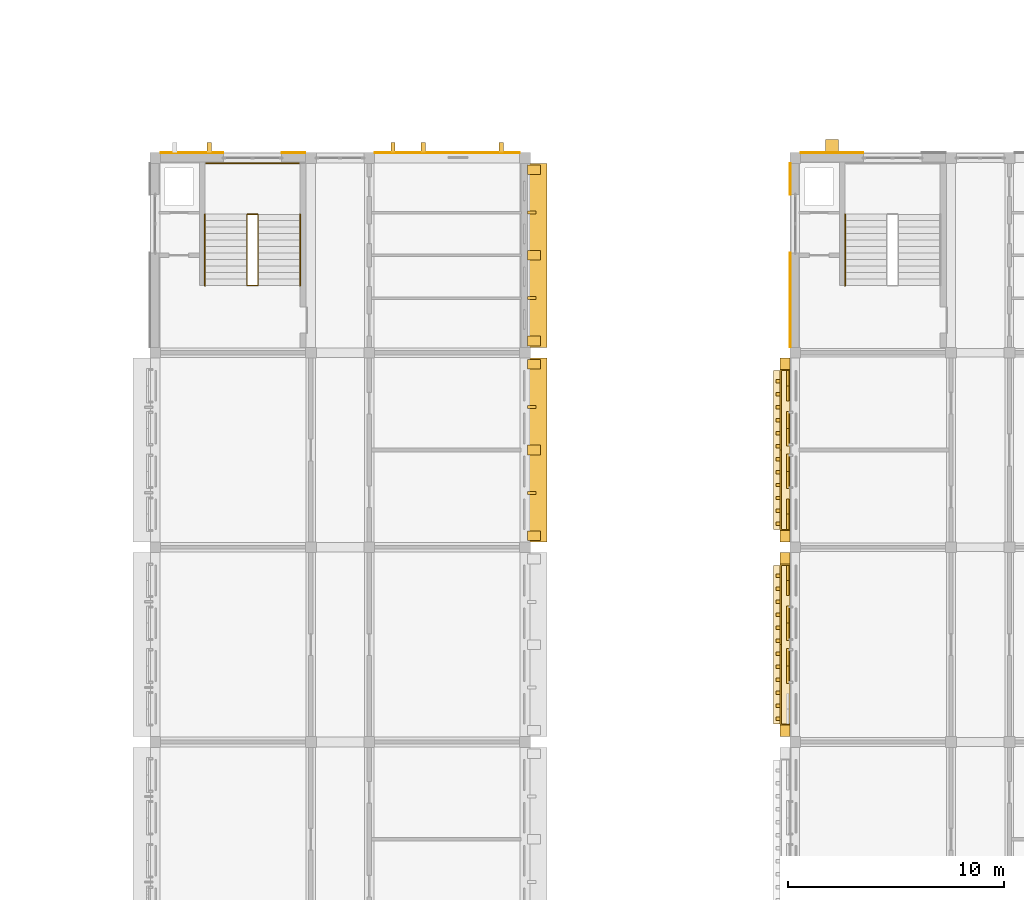
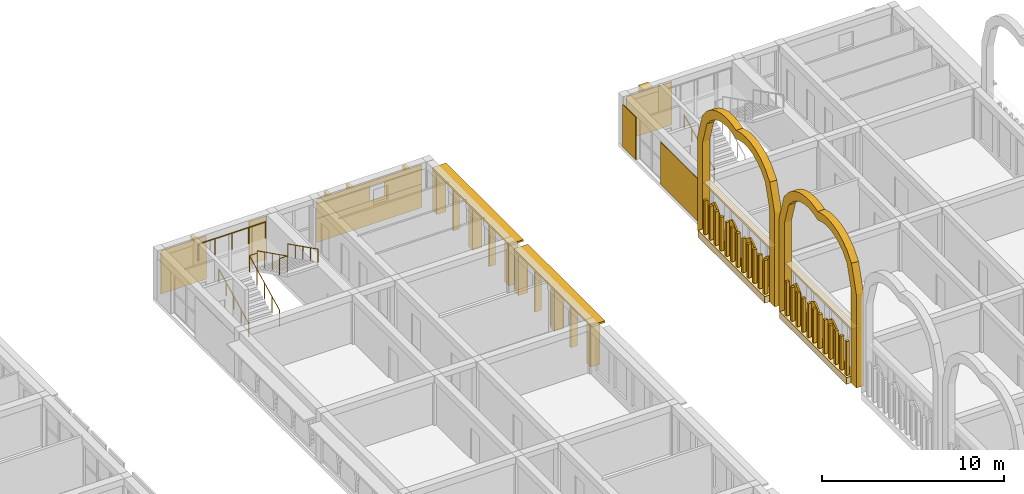
# One storey, part 77 of 82: 54 coverings, 9 shading devices, 5 railings.
"""IFC4 building model written with IfcOpenShell, lengths in metres."""

from ifc_helpers import new_model, si_unit, direction, frame, origin, origin_2d, place, context, subcontext, project, spatial, polyline, rectangle, circle, outline, extrude, material, layer, layer_set, type_object, element, save


model = new_model("IFC4")

# Units and contexts
model_context = context("Model", 3, precision=1e-05, world=origin(), true_north=direction((0.0, 1.0)))
body_context = subcontext(model_context, "Body", "Model", "MODEL_VIEW")
ifc_project = project(units=[si_unit("LENGTHUNIT", "METRE"), si_unit("AREAUNIT", "SQUARE_METRE"), si_unit("VOLUMEUNIT", "CUBIC_METRE"), si_unit("PLANEANGLEUNIT", "RADIAN"), si_unit("MASSUNIT", "GRAM", prefix="KILO")], contexts=[model_context])

# Site, building, storey
site_placement = place(None, origin())
site = spatial("IfcSite", under=ifc_project, at=site_placement, CompositionType="ELEMENT")
building_placement = place(site_placement, origin())
building = spatial("IfcBuilding", under=site, at=building_placement, Name="Elbe Cascade School", CompositionType="ELEMENT")
storey_placement = place(building_placement, frame((0.0, 0.0, 4.5)))
storey = spatial("IfcBuildingStorey", under=building, at=storey_placement, Name="L01", CompositionType="ELEMENT", Elevation=4.5)

# Railings
ifc_material_1 = material(Name="Steel S355J2H, painted", Category="steel")
railing_type_1 = type_object("IfcRailingType", Name="Bar stair guard 1100", PredefinedType="GUARDRAIL", material=ifc_material_1)
railing_1_placement = place(storey_placement, frame((102.85009765625, 54.10009765625, 0.14990234375)))
element("IfcRailing", 1, at=railing_1_placement, inside=storey, type_object=railing_type_1, Name="Stair guard B1.N", PredefinedType="GUARDRAIL", context=body_context, shape_type="SweptSolid", body=[
    extrude(circle(Radius=0.02392578125, at=origin_2d()), frame((0.0, 0.0, 1.09619140625), z_axis=(0.0, 0.894400720042, 0.447266533499), x_axis=(-1.0, 0.0, 0.0)), (0.0, 0.0, 1.0), 3.689453125),
    extrude(circle(Radius=0.02392578125, at=origin_2d()), frame((0.0, 3.2998046875, 2.74609375), z_axis=(1.0, 0.0, 0.0), x_axis=(0.0, 1.0, 0.0)), (0.0, 0.0, 1.0), 0.5),
    extrude(circle(Radius=0.02392578125, at=origin_2d()), frame((0.5, 3.2998046875, 2.74609375), z_axis=(0.0, 0.0, 1.0), x_axis=(1.0, 0.0, 0.0)), (0.0, 0.0, 1.0), 0.14990234375),
    extrude(circle(Radius=0.02392578125, at=origin_2d()), frame((0.5, 3.2998046875, 2.89599609375), z_axis=(0.0, -0.894400720042, 0.447266533499), x_axis=(1.0, 0.0, 0.0)), (0.0, 0.0, 1.0), 3.689453125),
    extrude(circle(Radius=0.02392578125, at=origin_2d()), frame((0.5, 0.0, 4.54638671875), z_axis=(-1.0, 0.0, 0.0), x_axis=(0.0, -1.0, 0.0)), (0.0, 0.0, 1.0), 0.5),
    extrude(circle(Radius=0.02099609375, at=origin_2d()), origin(), (0.0, 0.0, 1.0), 1.072021484375),
    extrude(circle(Radius=0.02099609375, at=origin_2d()), frame((0.0, 0.824951171875, 0.41259765625)), (0.0, 0.0, 1.0), 1.072021484375),
    extrude(circle(Radius=0.02099609375, at=origin_2d()), frame((0.0, 1.64990234375, 0.8251953125)), (0.0, 0.0, 1.0), 1.072021484375),
    extrude(circle(Radius=0.02099609375, at=origin_2d()), frame((0.0, 2.474853515625, 1.237548828125)), (0.0, 0.0, 1.0), 1.072021484375),
    extrude(circle(Radius=0.02099609375, at=origin_2d()), frame((0.0, 3.2998046875, 1.650146484375)), (0.0, 0.0, 1.0), 1.072021484375),
    extrude(circle(Radius=0.02099609375, at=origin_2d()), frame((0.5, 3.2998046875, 1.650146484375)), (0.0, 0.0, 1.0), 1.072021484375),
    extrude(circle(Radius=0.02099609375, at=origin_2d()), frame((0.5, 3.2998046875, 1.800048828125)), (0.0, 0.0, 1.0), 1.072021484375),
    extrude(circle(Radius=0.02099609375, at=origin_2d()), frame((0.5, 2.474853515625, 2.212646484375)), (0.0, 0.0, 1.0), 1.072021484375),
    extrude(circle(Radius=0.02099609375, at=origin_2d()), frame((0.5, 1.64990234375, 2.625)), (0.0, 0.0, 1.0), 1.072021484375),
    extrude(circle(Radius=0.02099609375, at=origin_2d()), frame((0.5, 0.824951171875, 3.03759765625)), (0.0, 0.0, 1.0), 1.072021484375),
    extrude(circle(Radius=0.02099609375, at=origin_2d()), frame((0.5, 0.0, 3.4501953125)), (0.0, 0.0, 1.0), 1.072021484375),
    extrude(circle(Radius=0.02099609375, at=origin_2d()), frame((0.0, 0.0, 3.4501953125)), (0.0, 0.0, 1.0), 1.072021484375),
])
railing_2_placement = place(storey_placement, frame((100.9599609375, 59.760009765625, 1.800048828125)))
element("IfcRailing", 2, at=railing_2_placement, inside=storey, type_object=railing_type_1, Name="Stair guard B1.N", PredefinedType="GUARDRAIL", context=body_context, shape_type="SweptSolid", body=[
    extrude(circle(Radius=0.02392578125, at=origin_2d()), frame((0.0, 0.0, 1.09619140625), z_axis=(1.0, 0.0, 0.0), x_axis=(0.0, 1.0, 0.0)), (0.0, 0.0, 1.0), 4.280029296875),
    extrude(circle(Radius=0.02099609375, at=origin_2d()), origin(), (0.0, 0.0, 1.0), 1.072021484375),
    extrude(circle(Radius=0.02099609375, at=origin_2d()), frame((1.070068359375, 0.0, 0.0)), (0.0, 0.0, 1.0), 1.072021484375),
    extrude(circle(Radius=0.02099609375, at=origin_2d()), frame((2.14013671875, 0.0, 0.0)), (0.0, 0.0, 1.0), 1.072021484375),
    extrude(circle(Radius=0.02099609375, at=origin_2d()), frame((3.2099609375, 0.0, 0.0)), (0.0, 0.0, 1.0), 1.072021484375),
    extrude(circle(Radius=0.02099609375, at=origin_2d()), frame((4.280029296875, 0.0, 0.0)), (0.0, 0.0, 1.0), 1.072021484375),
])
ifc_material_2 = material(Name="Steel S355J2H, painted", Category="steel")
railing_type_2 = type_object("IfcRailingType", Name="Bar stair handrail 900", PredefinedType="HANDRAIL", material=ifc_material_2)
railing_3_placement = place(storey_placement, frame((100.89990234375, 54.10009765625, 0.14990234375)))
element("IfcRailing", 3, at=railing_3_placement, inside=storey, type_object=railing_type_2, Name="Stair handrail B1.N", PredefinedType="HANDRAIL", context=body_context, shape_type="SweptSolid", body=[
    extrude(circle(Radius=0.02392578125, at=origin_2d()), frame((0.0, 0.0, 0.8759765625), z_axis=(0.0, 0.894400720042, 0.447266533499), x_axis=(-1.0, 0.0, 0.0)), (0.0, 0.0, 1.0), 3.689453125),
    extrude(circle(Radius=0.02099609375, at=origin_2d()), origin(), (0.0, 0.0, 1.0), 0.851806640625),
    extrude(circle(Radius=0.02099609375, at=origin_2d()), frame((0.0, 0.824951171875, 0.41259765625)), (0.0, 0.0, 1.0), 0.851806640625),
    extrude(circle(Radius=0.02099609375, at=origin_2d()), frame((0.0, 1.64990234375, 0.8251953125)), (0.0, 0.0, 1.0), 0.851806640625),
    extrude(circle(Radius=0.02099609375, at=origin_2d()), frame((0.0, 2.474853515625, 1.237548828125)), (0.0, 0.0, 1.0), 0.851806640625),
    extrude(circle(Radius=0.02099609375, at=origin_2d()), frame((0.0, 3.2998046875, 1.650146484375)), (0.0, 0.0, 1.0), 0.851806640625),
])
railing_4_placement = place(storey_placement, frame((105.300048828125, 57.39990234375, 1.949951171875)))
element("IfcRailing", 4, at=railing_4_placement, inside=storey, type_object=railing_type_2, Name="Stair handrail B1.N", PredefinedType="HANDRAIL", context=body_context, shape_type="SweptSolid", body=[
    extrude(circle(Radius=0.02392578125, at=origin_2d()), frame((0.0, 0.0, 0.8759765625), z_axis=(0.0, -0.894400720042, 0.447266533499), x_axis=(1.0, 0.0, 0.0)), (0.0, 0.0, 1.0), 3.689453125),
    extrude(circle(Radius=0.02099609375, at=origin_2d()), origin(), (0.0, 0.0, 1.0), 0.851806640625),
    extrude(circle(Radius=0.02099609375, at=origin_2d()), frame((0.0, -0.824951171875, 0.41259765625)), (0.0, 0.0, 1.0), 0.851806640625),
    extrude(circle(Radius=0.02099609375, at=origin_2d()), frame((0.0, -1.64990234375, 0.8251953125)), (0.0, 0.0, 1.0), 0.851806640625),
    extrude(circle(Radius=0.02099609375, at=origin_2d()), frame((0.0, -2.474853515625, 1.237548828125)), (0.0, 0.0, 1.0), 0.851806640625),
    extrude(circle(Radius=0.02099609375, at=origin_2d()), frame((0.0, -3.2998046875, 1.650146484375)), (0.0, 0.0, 1.0), 0.851806640625),
])
railing_5_placement = place(storey_placement, frame((130.5, 54.10009765625, 0.14990234375)))
element("IfcRailing", 5, at=railing_5_placement, inside=storey, type_object=railing_type_2, Name="Stair handrail C1.N", PredefinedType="HANDRAIL", context=body_context, shape_type="SweptSolid", body=[
    extrude(circle(Radius=0.02392578125, at=origin_2d()), frame((0.0, 0.0, 0.8759765625), z_axis=(0.0, 0.894400720042, 0.447266533499), x_axis=(-1.0, 0.0, 0.0)), (0.0, 0.0, 1.0), 3.689453125),
    extrude(circle(Radius=0.02099609375, at=origin_2d()), origin(), (0.0, 0.0, 1.0), 0.851806640625),
    extrude(circle(Radius=0.02099609375, at=origin_2d()), frame((0.0, 0.824951171875, 0.41259765625)), (0.0, 0.0, 1.0), 0.851806640625),
    extrude(circle(Radius=0.02099609375, at=origin_2d()), frame((0.0, 1.64990234375, 0.8251953125)), (0.0, 0.0, 1.0), 0.851806640625),
    extrude(circle(Radius=0.02099609375, at=origin_2d()), frame((0.0, 2.474853515625, 1.237548828125)), (0.0, 0.0, 1.0), 0.851806640625),
    extrude(circle(Radius=0.02099609375, at=origin_2d()), frame((0.0, 3.2998046875, 1.650146484375)), (0.0, 0.0, 1.0), 0.851806640625),
])

# Shading devices
ifc_material_3 = material(Name="Precast concrete C30/37", Category="concrete")
ifc_layer_1 = layer(ifc_material_3, 0.1201171875)
ifc_layer_set_1 = layer_set([ifc_layer_1], Name="Precast concrete C30/37")
shading_device_type_1 = type_object("IfcShadingDeviceType", Name="Bars envelope Chhajja eave, precast concrete, 900 x 120", PredefinedType="USERDEFINED", material=ifc_layer_set_1)
for number, where, z_axis, x_axis, name in (
    (6, (116.27001953125, 46.5, 2.72998046875), (0.0, 0.0, 1.0), (0.0, 1.0, 0.0), "Chhajja eave SD2 B.L01.e5"),
    (7, (116.27001953125, 55.5, 2.72998046875), (0.0, 0.0, 1.0), (0.0, 1.0, 0.0), "Chhajja eave SD2 B.L01.e6"),
):
    element("IfcShadingDevice", number, at=place(storey_placement, frame(where, z_axis=z_axis, x_axis=x_axis)), inside=storey, type_object=shading_device_type_1, Name=name, ObjectType="CHHAJJA", PredefinedType="USERDEFINED", context=body_context, shape_type="SweptSolid", body=[
        extrude(rectangle(XDim=8.5, YDim=0.89990234375, at=origin_2d()), origin(), (0.0, 0.0, 1.0), 0.1201171875),
    ])
ifc_material_4 = material(Name="Precast concrete C40/50", Category="concrete")
ifc_layer_2 = layer(ifc_material_4, 0.10009765625)
ifc_layer_set_2 = layer_set([ifc_layer_2], Name="Precast concrete C40/50")
shading_device_type_2 = type_object("IfcShadingDeviceType", Name="Bars envelope Jali screen 1400 x 1940, pointed arch rise 1200, pierced precast concrete", PredefinedType="USERDEFINED", material=ifc_layer_set_2)
shading_device_1_placement = place(storey_placement, frame((127.800048828125, 39.77001953125, 1.340087890625), z_axis=(-1.0, 0.0, 0.0), x_axis=(0.0, 0.178010233327, 0.984028636184)))
element("IfcShadingDevice", 8, at=shading_device_1_placement, inside=storey, type_object=shading_device_type_2, Name="Jali screen SD5 C.L01.w4.4", ObjectType="JALI", PredefinedType="USERDEFINED", context=body_context, shape_type="SweptSolid", body=[
    extrude(outline(polyline([(0.0, 0.0), (0.4909961754247877, 0.0), (0.6925449640407739, 0.05260897455936113), (0.8428788821146216, 0.11423458756170396), (0.9653882612323997, 0.18114174736631955), (1.0691153542525929, 0.2511985091151042), (1.1586682066636846, 0.32381938311151803), (1.2367329330241117, 0.3987665558959881), (1.3053847865709356, 0.4751684089694145), (1.26789341576225, 0.5710196155015056), (1.2209891721399608, 0.6683255023225533), (1.1625533429373862, 0.767717446565401), (1.0899867326553312, 0.869913744422134), (0.9986378362756912, 0.9752596442230361), (0.8794644009399817, 1.0858870908262108), (0.7090760950621335, 1.205531175872367), (0.2491969428458631, 1.3775439941116288), (-0.47897463827592734, 1.509269828392377), (-0.7281715811217905, 0.13172583428074836), (0.0, 0.0)])), origin(), (0.0, 0.0, -1.0), 0.10009765625),
])
shading_device_2_placement = place(storey_placement, frame((127.800048828125, 42.830078125, 1.340087890625), z_axis=(-1.0, 0.0, 0.0), x_axis=(0.0, 0.178010233327, 0.984028636184)))
element("IfcShadingDevice", 9, at=shading_device_2_placement, inside=storey, type_object=shading_device_type_2, Name="Jali screen SD5 C.L01.w5.1", ObjectType="JALI", PredefinedType="USERDEFINED", context=body_context, shape_type="SweptSolid", body=[
    extrude(outline(polyline([(0.0, 0.0), (0.4909961754247877, 0.0), (0.6925015045111531, 0.05236873319310516), (0.8428788821146216, 0.11423458756170396), (0.9653448017027789, 0.1809015060000636), (1.0691153542525929, 0.2511985091151042), (1.1586682066636846, 0.32381938311151803), (1.2366894734944909, 0.3985263145297321), (1.3053847865709356, 0.4751684089694145), (1.267849956232629, 0.5707793741352497), (1.2209891721399608, 0.6683255023225533), (1.1625533429373862, 0.767717446565401), (1.0899432731257104, 0.8696735030558779), (0.9986378362756912, 0.9752596442230361), (0.8794209414103609, 1.0856468494599547), (0.7090760950621335, 1.205531175872367), (0.2491969428458631, 1.3775439941116288), (-0.47897463827592734, 1.509269828392377), (-0.7281715811217905, 0.13172583428074836), (0.0, 0.0)])), origin(), (0.0, 0.0, -1.0), 0.10009765625),
])
shading_device_3_placement = place(storey_placement, frame((127.800048828125, 48.77001953125, 1.340087890625), z_axis=(-1.0, 0.0, 0.0), x_axis=(0.0, 0.178010233327, 0.984028636184)))
element("IfcShadingDevice", 10, at=shading_device_3_placement, inside=storey, type_object=shading_device_type_2, Name="Jali screen SD5 C.L01.w5.4", ObjectType="JALI", PredefinedType="USERDEFINED", context=body_context, shape_type="SweptSolid", body=[
    extrude(outline(polyline([(0.0, 0.0), (0.4909961754247877, 0.0), (0.6925449640407739, 0.05260897455936113), (0.8428788821146216, 0.11423458756170396), (0.9653882612323997, 0.18114174736631955), (1.0691153542525929, 0.2511985091151042), (1.1586682066636846, 0.32381938311151803), (1.2367329330241117, 0.3987665558959881), (1.3053847865709356, 0.4751684089694145), (1.26789341576225, 0.5710196155015056), (1.2209891721399608, 0.6683255023225533), (1.1625533429373862, 0.767717446565401), (1.0899867326553312, 0.869913744422134), (0.9986378362756912, 0.9752596442230361), (0.8794644009399817, 1.0858870908262108), (0.7090760950621335, 1.205531175872367), (0.2491969428458631, 1.3775439941116288), (-0.47897463827592734, 1.509269828392377), (-0.7281715811217905, 0.13172583428074836), (0.0, 0.0)])), origin(), (0.0, 0.0, -1.0), 0.10009765625),
])
ifc_material_5 = material(Name="Precast concrete C40/50", Category="concrete")
ifc_layer_3 = layer(ifc_material_5, 0.10009765625)
ifc_layer_set_3 = layer_set([ifc_layer_3], Name="Precast concrete C40/50")
shading_device_type_3 = type_object("IfcShadingDeviceType", Name="Bars envelope Jali screen 1600 x 1940, pointed arch rise 1200, pierced precast concrete", PredefinedType="USERDEFINED", material=ifc_layer_set_3)
for number, where, z_axis, x_axis, name in (
    (11, (127.800048828125, 35.7099609375, 1.340087890625), (-1.0, 0.0, 0.0), (0.0, 0.196300278283, 0.98054382908), "Jali screen SD4 C.L01.w4.2"),
    (12, (127.800048828125, 37.68994140625, 1.340087890625), (-1.0, 0.0, 0.0), (0.0, 0.196300278283, 0.98054382908), "Jali screen SD4 C.L01.w4.3"),
    (13, (127.800048828125, 44.7099609375, 1.340087890625), (-1.0, 0.0, 0.0), (0.0, 0.196300278283, 0.98054382908), "Jali screen SD4 C.L01.w5.2"),
    (14, (127.800048828125, 46.68994140625, 1.340087890625), (-1.0, 0.0, 0.0), (0.0, 0.196300278283, 0.98054382908), "Jali screen SD4 C.L01.w5.3"),
):
    element("IfcShadingDevice", number, at=place(storey_placement, frame(where, z_axis=z_axis, x_axis=x_axis)), inside=storey, type_object=shading_device_type_3, Name=name, ObjectType="JALI", PredefinedType="USERDEFINED", context=body_context, shape_type="SweptSolid", body=[
        extrude(outline(polyline([(0.0, 0.0), (0.509921112317134, 0.0), (0.7184015554229473, 0.06009802405484588), (0.8733064327485943, 0.13117061016154), (0.9982874871653163, 0.20823380534668107), (1.102872417131342, 0.2891312241218946), (1.1917054934740825, 0.37343107507379947), (1.268281725197354, 0.45993570394643946), (1.3336545243794973, 0.5489321924158467), (1.3075801207519657, 0.6562359822289878), (1.2702064348380508, 0.7655528504723534), (1.220671754049922, 0.877553277802997), (1.155289369893253, 0.9924773561437888), (1.0696067110311427, 1.1117144392411962), (0.9540002292601073, 1.2369421314170506), (0.7847223319636507, 1.37266560447821), (0.31409961520112845, 1.5689658827607584), (-0.41149324269448634, 1.7142261716949392), (-0.7255928578956148, 0.1452602889341807), (0.0, 0.0)])), origin(), (0.0, 0.0, -1.0), 0.10009765625),
    ])

# Coverings
ifc_material_6 = material(Name="Precast concrete C40/50", Category="concrete")
covering_type_1 = type_object("IfcCoveringType", Name="Bars envelope Precast concrete fin, 140 wide, 400 deep", PredefinedType="CLADDING", material=ifc_material_6)
for number, where, z_axis, x_axis, name in (
    (15, (116.02001953125, 44.52001953125, 0.0), (0.0, 0.0, 1.0), (0.0, 1.0, 0.0), "Fin CV56 B.L01.e5.4"),
    (16, (116.02001953125, 48.47998046875, 0.0), (0.0, 0.0, 1.0), (0.0, 1.0, 0.0), "Fin CV56 B.L01.e5.5"),
    (17, (116.02001953125, 53.52001953125, 0.0), (0.0, 0.0, 1.0), (0.0, 1.0, 0.0), "Fin CV56 B.L01.e6.4"),
    (18, (116.02001953125, 57.47998046875, 0.0), (0.0, 0.0, 1.0), (0.0, 1.0, 0.0), "Fin CV56 B.L01.e6.5"),
):
    element("IfcCovering", number, at=place(storey_placement, frame(where, z_axis=z_axis, x_axis=x_axis)), inside=storey, type_object=covering_type_1, Name=name, PredefinedType="CLADDING", context=body_context, shape_type="SweptSolid", body=[
        extrude(rectangle(XDim=0.139892578125, YDim=0.39990234375, at=origin_2d()), origin(), (0.0, 0.0, 1.0), 2.72998046875),
    ])
ifc_material_7 = material(Name="Precast concrete C40/50", Category="concrete")
covering_type_2 = type_object("IfcCoveringType", Name="Bars envelope Precast concrete fin, 450 wide, 600 deep", PredefinedType="CLADDING", material=ifc_material_7)
for number, where, z_axis, x_axis, name in (
    (19, (116.1201171875, 42.5400390625, 0.0), (0.0, 0.0, 1.0), (0.0, 1.0, 0.0), "Fin CV55 B.L01.e5.1"),
    (20, (116.1201171875, 46.5, 0.0), (0.0, 0.0, 1.0), (0.0, 1.0, 0.0), "Fin CV55 B.L01.e5.2"),
    (21, (116.1201171875, 50.4599609375, 0.0), (0.0, 0.0, 1.0), (0.0, 1.0, 0.0), "Fin CV55 B.L01.e5.3"),
    (22, (116.1201171875, 51.5400390625, 0.0), (0.0, 0.0, 1.0), (0.0, 1.0, 0.0), "Fin CV55 B.L01.e6.1"),
    (23, (116.1201171875, 55.5, 0.0), (0.0, 0.0, 1.0), (0.0, 1.0, 0.0), "Fin CV55 B.L01.e6.2"),
    (24, (116.1201171875, 59.4599609375, 0.0), (0.0, 0.0, 1.0), (0.0, 1.0, 0.0), "Fin CV55 B.L01.e6.3"),
):
    element("IfcCovering", number, at=place(storey_placement, frame(where, z_axis=z_axis, x_axis=x_axis)), inside=storey, type_object=covering_type_2, Name=name, PredefinedType="CLADDING", context=body_context, shape_type="SweptSolid", body=[
        extrude(rectangle(XDim=0.449951171875, YDim=0.60009765625, at=origin_2d()), origin(), (0.0, 0.0, 1.0), 2.72998046875),
    ])
ifc_material_8 = material(Name="Precast concrete C40/50", Category="concrete")
covering_type_3 = type_object("IfcCoveringType", Name="Bars envelope Precast concrete gable fin, 200 wide, 450 deep", PredefinedType="CLADDING", material=ifc_material_8)
for number, where, z_axis, x_axis, name in (
    (25, (101.10009765625, 60.485107421875, 0.0), (0.0, 0.0, 1.0), (1.0, 0.0, 0.0), "Fin CV57 B.L01.n.2"),
    (26, (109.60009765625, 60.485107421875, 0.0), (0.0, 0.0, 1.0), (1.0, 0.0, 0.0), "Fin CV57 B.L01.n.3"),
    (27, (111.0, 60.485107421875, 0.0), (0.0, 0.0, 1.0), (1.0, 0.0, 0.0), "Fin CV57 B.L01.n.4"),
    (28, (114.60009765625, 60.485107421875, 0.0), (0.0, 0.0, 1.0), (1.0, 0.0, 0.0), "Fin CV57 B.L01.n.5"),
):
    element("IfcCovering", number, at=place(storey_placement, frame(where, z_axis=z_axis, x_axis=x_axis)), inside=storey, type_object=covering_type_3, Name=name, PredefinedType="CLADDING", context=body_context, shape_type="SweptSolid", body=[
        extrude(rectangle(XDim=0.199951171875, YDim=0.449951171875, at=origin_2d()), origin(), (0.0, 0.0, 1.0), 2.89990234375),
    ])
ifc_material_9 = material(Name="Precast concrete C40/50", Category="concrete")
covering_type_4 = type_object("IfcCoveringType", Name="Bars envelope Precast concrete gable fin, 600 wide, 600 deep", PredefinedType="CLADDING", material=ifc_material_9)
covering_1_placement = place(storey_placement, frame((129.89990234375, 60.56005859375, 0.0), z_axis=(0.0, 0.0, 1.0), x_axis=(1.0, 0.0, 0.0)))
element("IfcCovering", 29, at=covering_1_placement, inside=storey, type_object=covering_type_4, Name="Fin CV63 C.L01.n.1", PredefinedType="CLADDING", context=body_context, shape_type="SweptSolid", body=[
    extrude(rectangle(XDim=0.60009765625, YDim=0.60009765625, at=origin_2d()), origin(), (0.0, 0.0, 1.0), 2.89990234375),
])
ifc_material_10 = material(Name="Sandstone - red", Category="masonry")
covering_type_5 = type_object("IfcCoveringType", Name="Bars envelope Sandstone arch frame single, 8500 wide, 450 deep", PredefinedType="CLADDING", material=ifc_material_10)
for number, where, z_axis, x_axis, name in (
    (30, (127.5, 33.25, 0.0), (-1.0, 0.0, 0.0), (0.0, 0.0, 1.0), "Arch frame CV52 C.L01.w4"),
    (31, (127.5, 42.25, 0.0), (-1.0, 0.0, 0.0), (0.0, 0.0, 1.0), "Arch frame CV52 C.L01.w5"),
):
    element("IfcCovering", number, at=place(storey_placement, frame(where, z_axis=z_axis, x_axis=x_axis)), inside=storey, type_object=covering_type_5, Name=name, PredefinedType="CLADDING", context=body_context, shape_type="SweptSolid", body=[
        extrude(outline(polyline([(0.0, 0.0), (6.300048828125, 0.0), (8.060791015625, 0.53125), (8.67431640625, 1.0625), (9.058349609375, 1.59375), (9.302490234375, 2.125), (9.439697265625, 2.65625), (9.48388671875, 3.1875), (9.438720703125, 3.71875), (9.300048828125, 4.25), (9.438720703125, 4.78125), (9.48388671875, 5.3125), (9.439697265625, 5.84375), (9.302490234375, 6.375), (9.058349609375, 6.90625), (8.67431640625, 7.4375), (8.060791015625, 7.96875), (6.300048828125, 8.5), (0.0, 8.5), (0.0, 7.919921875), (6.300048828125, 7.919921875), (7.784912109375, 7.461181640625), (8.29736328125, 7.00244140625), (8.613525390625, 6.543701171875), (8.80908203125, 6.0849609375), (8.910888671875, 5.626220703125), (8.93017578125, 5.16748046875), (8.86865234375, 4.708740234375), (8.719970703125, 4.25), (8.86865234375, 3.791259765625), (8.93017578125, 3.33251953125), (8.910888671875, 2.873779296875), (8.80908203125, 2.4150390625), (8.613525390625, 1.956298828125), (8.29736328125, 1.49755859375), (7.784912109375, 1.038818359375), (6.300048828125, 0.580078125), (0.0, 0.580078125), (0.0, 0.0)])), origin(), (0.0, 0.0, -1.0), 0.449951171875),
    ])
ifc_material_11 = material(Name="Sandstone - red", Category="masonry")
ifc_layer_4 = layer(ifc_material_11, 0.0400390625)
ifc_layer_set_4 = layer_set([ifc_layer_4], Name="Sandstone - red")
covering_type_6 = type_object("IfcCoveringType", Name="Bars envelope Sandstone cladding, red, 40 mm", PredefinedType="CLADDING", material=ifc_layer_set_4)
covering_2_placement = place(storey_placement, frame((100.300048828125, 60.239990234375, 0.0), z_axis=(0.0, 0.0, 1.0), x_axis=(1.0, 0.0, 0.0)))
element("IfcCovering", 32, at=covering_2_placement, inside=storey, type_object=covering_type_6, Name="Sandstone cladding CV48 B.L01.n.1a.1", PredefinedType="CLADDING", context=body_context, shape_type="SweptSolid", body=[
    extrude(rectangle(XDim=2.89990234375, YDim=0.0400390625, at=origin_2d()), origin(), (0.0, 0.0, 1.0), 2.89990234375),
])
covering_3_placement = place(storey_placement, frame((105.0, 60.239990234375, 0.0), z_axis=(0.0, 0.0, 1.0), x_axis=(1.0, 0.0, 0.0)))
element("IfcCovering", 33, at=covering_3_placement, inside=storey, type_object=covering_type_6, Name="Sandstone cladding CV48 B.L01.n.1b.1", PredefinedType="CLADDING", context=body_context, shape_type="SweptSolid", body=[
    extrude(rectangle(XDim=1.10009765625, YDim=0.0400390625, at=origin_2d()), origin(), (0.0, 0.0, 1.0), 2.89990234375),
])
covering_4_placement = place(storey_placement, frame((112.10009765625, 60.239990234375, 0.0), z_axis=(0.0, 0.0, 1.0), x_axis=(1.0, 0.0, 0.0)))
element("IfcCovering", 34, at=covering_4_placement, inside=storey, type_object=covering_type_6, Name="Sandstone cladding CV48 B.L01.n.3.1", PredefinedType="CLADDING", context=body_context, shape_type="SweptSolid", body=[
    extrude(rectangle(XDim=6.699951171875, YDim=0.0400390625, at=origin_2d()), origin(), (0.0, 0.0, 1.0), 1.60009765625),
])
covering_5_placement = place(storey_placement, frame((110.449951171875, 60.239990234375, 1.60009765625), z_axis=(0.0, 0.0, 1.0), x_axis=(1.0, 0.0, 0.0)))
element("IfcCovering", 35, at=covering_5_placement, inside=storey, type_object=covering_type_6, Name="Sandstone cladding CV48 B.L01.n.3.2", PredefinedType="CLADDING", context=body_context, shape_type="SweptSolid", body=[
    extrude(rectangle(XDim=3.39990234375, YDim=0.0400390625, at=origin_2d()), origin(), (0.0, 0.0, 1.0), 1.0),
])
covering_6_placement = place(storey_placement, frame((114.25, 60.239990234375, 1.60009765625), z_axis=(0.0, 0.0, 1.0), x_axis=(1.0, 0.0, 0.0)))
element("IfcCovering", 36, at=covering_6_placement, inside=storey, type_object=covering_type_6, Name="Sandstone cladding CV48 B.L01.n.3.3", PredefinedType="CLADDING", context=body_context, shape_type="SweptSolid", body=[
    extrude(rectangle(XDim=2.39990234375, YDim=0.0400390625, at=origin_2d()), origin(), (0.0, 0.0, 1.0), 1.0),
])
covering_7_placement = place(storey_placement, frame((112.10009765625, 60.239990234375, 2.60009765625), z_axis=(0.0, 0.0, 1.0), x_axis=(1.0, 0.0, 0.0)))
element("IfcCovering", 37, at=covering_7_placement, inside=storey, type_object=covering_type_6, Name="Sandstone cladding CV48 B.L01.n.3.4", PredefinedType="CLADDING", context=body_context, shape_type="SweptSolid", body=[
    extrude(rectangle(XDim=6.699951171875, YDim=0.0400390625, at=origin_2d()), origin(), (0.0, 0.0, 1.0), 0.300048828125),
])
covering_8_placement = place(storey_placement, frame((127.9599609375, 53.429931640625, 0.0), z_axis=(0.0, 0.0, 1.0), x_axis=(0.0, 1.0, 0.0)))
element("IfcCovering", 38, at=covering_8_placement, inside=storey, type_object=covering_type_6, Name="Sandstone cladding CV48 C.L01.w.6a.1", PredefinedType="CLADDING", context=body_context, shape_type="SweptSolid", body=[
    extrude(rectangle(XDim=4.360107421875, YDim=0.0400390625, at=origin_2d()), origin(), (0.0, 0.0, 1.0), 2.85009765625),
])
covering_9_placement = place(storey_placement, frame((127.9599609375, 59.030029296875, 0.0), z_axis=(0.0, 0.0, 1.0), x_axis=(0.0, 1.0, 0.0)))
element("IfcCovering", 39, at=covering_9_placement, inside=storey, type_object=covering_type_6, Name="Sandstone cladding CV48 C.L01.w.6b.1", PredefinedType="CLADDING", context=body_context, shape_type="SweptSolid", body=[
    extrude(rectangle(XDim=1.43994140625, YDim=0.0400390625, at=origin_2d()), origin(), (0.0, 0.0, 1.0), 2.85009765625),
])
covering_10_placement = place(storey_placement, frame((129.89990234375, 60.239990234375, 0.0), z_axis=(0.0, 0.0, 1.0), x_axis=(1.0, 0.0, 0.0)))
element("IfcCovering", 40, at=covering_10_placement, inside=storey, type_object=covering_type_6, Name="Sandstone cladding CV48 C.L01.n.1a.1", PredefinedType="CLADDING", context=body_context, shape_type="SweptSolid", body=[
    extrude(rectangle(XDim=2.89990234375, YDim=0.0400390625, at=origin_2d()), origin(), (0.0, 0.0, 1.0), 2.89990234375),
])
ifc_material_12 = material(Name="Sandstone - red", Category="masonry")
covering_type_7 = type_object("IfcCoveringType", Name="Bars envelope Sandstone floor ledge, 400 deep", PredefinedType="CLADDING", material=ifc_material_12)
for number, where, z_axis, x_axis, name in (
    (41, (127.75, 37.5, 3.4599609375), (0.0, 0.0, 1.0), (0.0, 1.0, 0.0), "Floor ledge CV64 C.L01.w3.1"),
    (42, (127.75, 46.5, 3.4599609375), (0.0, 0.0, 1.0), (0.0, 1.0, 0.0), "Floor ledge CV64 C.L01.w4.1"),
):
    element("IfcCovering", number, at=place(storey_placement, frame(where, z_axis=z_axis, x_axis=x_axis)), inside=storey, type_object=covering_type_7, Name=name, PredefinedType="CLADDING", context=body_context, shape_type="SweptSolid", body=[
        extrude(rectangle(XDim=7.340087890625, YDim=0.39990234375, at=origin_2d()), origin(), (0.0, 0.0, 1.0), 0.139892578125),
    ])
ifc_material_13 = material(Name="Sandstone - red", Category="masonry")
covering_type_8 = type_object("IfcCoveringType", Name="Bars envelope Sandstone planter kerb, 750 deep", PredefinedType="CLADDING", material=ifc_material_13)
for number, where, z_axis, x_axis, name in (
    (43, (127.574951171875, 37.5, 0.0), (0.0, 0.0, 1.0), (0.0, 1.0, 0.0), "Planter kerb CV65 C.L01.w3.1"),
    (44, (127.574951171875, 46.5, 0.0), (0.0, 0.0, 1.0), (0.0, 1.0, 0.0), "Planter kerb CV65 C.L01.w4.1"),
):
    element("IfcCovering", number, at=place(storey_placement, frame(where, z_axis=z_axis, x_axis=x_axis)), inside=storey, type_object=covering_type_8, Name=name, PredefinedType="CLADDING", context=body_context, shape_type="SweptSolid", body=[
        extrude(rectangle(XDim=7.340087890625, YDim=0.75, at=origin_2d()), origin(), (0.0, 0.0, 1.0), 0.449951171875),
    ])
ifc_material_14 = material(Name="Sandstone - red", Category="masonry")
covering_type_9 = type_object("IfcCoveringType", Name="Bars envelope Sandstone slat, 160 wide, 200 deep", PredefinedType="CLADDING", material=ifc_material_14)
for number, where, z_axis, x_axis, name in (
    (45, (127.39990234375, 34.080078125, 0.4501953125), (0.0, 0.0, 1.0), (0.0, 1.0, 0.0), "Slat CV66 C.L01.w3.1.1"),
    (46, (127.39990234375, 34.679931640625, 0.4501953125), (0.0, 0.0, 1.0), (0.0, 1.0, 0.0), "Slat CV66 C.L01.w3.1.2"),
    (47, (127.39990234375, 35.280029296875, 0.4501953125), (0.0, 0.0, 1.0), (0.0, 1.0, 0.0), "Slat CV66 C.L01.w3.1.3"),
    (48, (127.39990234375, 35.8798828125, 0.4501953125), (0.0, 0.0, 1.0), (0.0, 1.0, 0.0), "Slat CV66 C.L01.w3.1.4"),
    (49, (127.39990234375, 36.47998046875, 0.4501953125), (0.0, 0.0, 1.0), (0.0, 1.0, 0.0), "Slat CV66 C.L01.w3.1.5"),
    (50, (127.39990234375, 37.080078125, 0.4501953125), (0.0, 0.0, 1.0), (0.0, 1.0, 0.0), "Slat CV66 C.L01.w3.1.6"),
    (51, (127.39990234375, 37.679931640625, 0.4501953125), (0.0, 0.0, 1.0), (0.0, 1.0, 0.0), "Slat CV66 C.L01.w3.1.7"),
    (52, (127.39990234375, 38.280029296875, 0.4501953125), (0.0, 0.0, 1.0), (0.0, 1.0, 0.0), "Slat CV66 C.L01.w3.1.8"),
    (53, (127.39990234375, 38.8798828125, 0.4501953125), (0.0, 0.0, 1.0), (0.0, 1.0, 0.0), "Slat CV66 C.L01.w3.1.9"),
    (54, (127.39990234375, 39.47998046875, 0.4501953125), (0.0, 0.0, 1.0), (0.0, 1.0, 0.0), "Slat CV66 C.L01.w3.1.10"),
    (55, (127.39990234375, 40.080078125, 0.4501953125), (0.0, 0.0, 1.0), (0.0, 1.0, 0.0), "Slat CV66 C.L01.w3.1.11"),
    (56, (127.39990234375, 40.679931640625, 0.4501953125), (0.0, 0.0, 1.0), (0.0, 1.0, 0.0), "Slat CV66 C.L01.w3.1.12"),
    (57, (127.39990234375, 43.080078125, 0.4501953125), (0.0, 0.0, 1.0), (0.0, 1.0, 0.0), "Slat CV66 C.L01.w4.1.1"),
    (58, (127.39990234375, 43.679931640625, 0.4501953125), (0.0, 0.0, 1.0), (0.0, 1.0, 0.0), "Slat CV66 C.L01.w4.1.2"),
    (59, (127.39990234375, 44.280029296875, 0.4501953125), (0.0, 0.0, 1.0), (0.0, 1.0, 0.0), "Slat CV66 C.L01.w4.1.3"),
    (60, (127.39990234375, 44.8798828125, 0.4501953125), (0.0, 0.0, 1.0), (0.0, 1.0, 0.0), "Slat CV66 C.L01.w4.1.4"),
    (61, (127.39990234375, 45.47998046875, 0.4501953125), (0.0, 0.0, 1.0), (0.0, 1.0, 0.0), "Slat CV66 C.L01.w4.1.5"),
    (62, (127.39990234375, 46.080078125, 0.4501953125), (0.0, 0.0, 1.0), (0.0, 1.0, 0.0), "Slat CV66 C.L01.w4.1.6"),
    (63, (127.39990234375, 46.679931640625, 0.4501953125), (0.0, 0.0, 1.0), (0.0, 1.0, 0.0), "Slat CV66 C.L01.w4.1.7"),
    (64, (127.39990234375, 47.280029296875, 0.4501953125), (0.0, 0.0, 1.0), (0.0, 1.0, 0.0), "Slat CV66 C.L01.w4.1.8"),
    (65, (127.39990234375, 47.8798828125, 0.4501953125), (0.0, 0.0, 1.0), (0.0, 1.0, 0.0), "Slat CV66 C.L01.w4.1.9"),
    (66, (127.39990234375, 48.47998046875, 0.4501953125), (0.0, 0.0, 1.0), (0.0, 1.0, 0.0), "Slat CV66 C.L01.w4.1.10"),
    (67, (127.39990234375, 49.080078125, 0.4501953125), (0.0, 0.0, 1.0), (0.0, 1.0, 0.0), "Slat CV66 C.L01.w4.1.11"),
    (68, (127.39990234375, 49.679931640625, 0.4501953125), (0.0, 0.0, 1.0), (0.0, 1.0, 0.0), "Slat CV66 C.L01.w4.1.12"),
):
    element("IfcCovering", number, at=place(storey_placement, frame(where, z_axis=z_axis, x_axis=x_axis)), inside=storey, type_object=covering_type_9, Name=name, PredefinedType="CLADDING", context=body_context, shape_type="SweptSolid", body=[
        extrude(rectangle(XDim=0.159912109375, YDim=0.199951171875, at=origin_2d()), origin(), (0.0, 0.0, 1.0), 2.280029296875),
    ])

save(model, "model.ifc")
